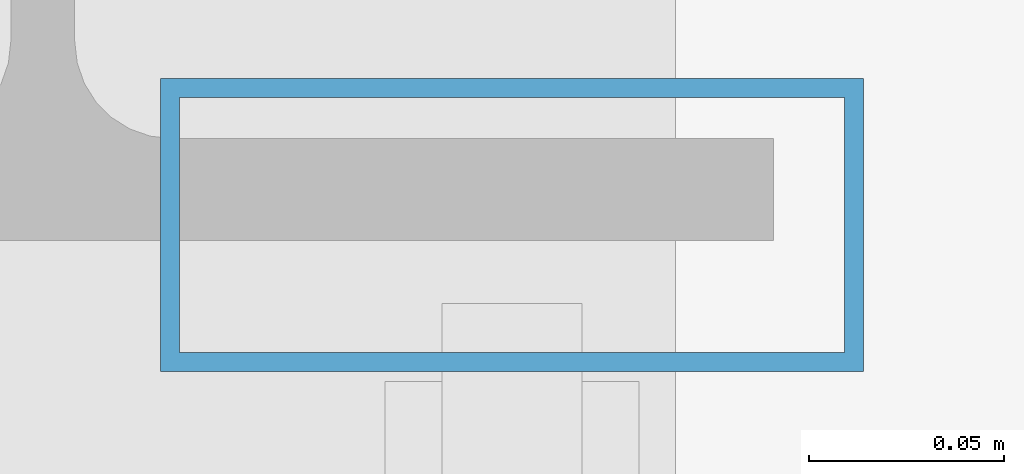
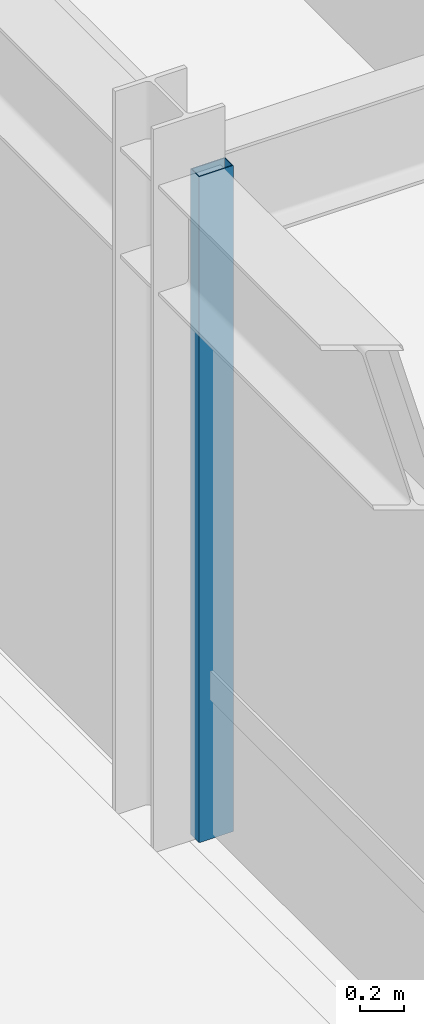
# One storey, part 7 of 17: 1 member, 1 element without a shape of its own.
"""IFC4 building model written with IfcOpenShell, lengths in metres."""

from ifc_helpers import new_model, si_unit, direction, frame, origin, origin_2d, place, context, subcontext, project, spatial, hollow_rectangle, extrude, material, layer, layer_set, material_profile, profile_set, type_object, element, aggregate, save


model = new_model("IFC4")

# Units and contexts
model_context = context("Model", 3, precision=1e-05, world=origin(), true_north=direction((0.0, 1.0)))
body_context = subcontext(model_context, "Body", "Model", "MODEL_VIEW")
ifc_project = project(units=[si_unit("LENGTHUNIT", "METRE"), si_unit("AREAUNIT", "SQUARE_METRE"), si_unit("VOLUMEUNIT", "CUBIC_METRE"), si_unit("PLANEANGLEUNIT", "RADIAN"), si_unit("MASSUNIT", "GRAM", prefix="KILO")], contexts=[model_context])

# Site, building, storey
site_placement = place(None, origin())
site = spatial("IfcSite", under=ifc_project, at=site_placement, CompositionType="ELEMENT")
building_placement = place(site_placement, origin())
building = spatial("IfcBuilding", under=site, at=building_placement, Name="Drelvath Grand Hotel", CompositionType="ELEMENT")
storey_placement = place(building_placement, frame((0.0, 0.0, 311.39990234375)))
storey = spatial("IfcBuildingStorey", under=building, at=storey_placement, Name="L81", CompositionType="ELEMENT", Elevation=311.39990234375)

# Curtain wall, member
ifc_material = material(Name="Pale-Metal Anodised Aluminium Crown Frame", Category="aluminium")
ifc_layer = layer(ifc_material, 0.199951171875)
ifc_layer_set = layer_set([ifc_layer], Name="Pale-Metal Anodised Aluminium Crown Frame")
curtain_wall_type = type_object("IfcCurtainWallType", Name="Stick Curtain Wall CW-06 Pale-Metal Crown Clerestory", PredefinedType="NOTDEFINED", material=ifc_layer_set)
curtain_wall_placement = place(storey_placement, origin())
curtain_wall = element("IfcCurtainWall", 1, at=curtain_wall_placement, inside=storey, type_object=curtain_wall_type, Name="L81 CW-06 Curtain Wall CW06-L81-W", PredefinedType="NOTDEFINED")
ifc_material_profile = material_profile(ifc_material, hollow_rectangle(XDim=0.074951171875, YDim=0.179931640625, WallThickness=0.0048828125, at=origin_2d()), Name="HSS180X75X5")
ifc_profile_set = profile_set([ifc_material_profile], Name="Pale-Metal Anodised Aluminium Crown Frame")
member_type = type_object("IfcMemberType", Name="Curtain Wall Vertical Mullion CW-06 HSS180X75X5", PredefinedType="MULLION", material=ifc_profile_set)
member_placement = place(storey_placement, frame((-13.8798828125, 26.81787109375, 0.0), z_axis=(0.0, 0.0, 1.0), x_axis=(0.0, 1.0, 0.0)))
member = element("IfcMember", 2, at=member_placement, type_object=member_type, Name="CW06-L81-W Mullion 3", PredefinedType="MULLION", context=body_context, shape_type="SweptSolid", body=[
    extrude(hollow_rectangle(XDim=0.074951171875, YDim=0.179931640625, WallThickness=0.0048828125, at=origin_2d()), origin(), (0.0, 0.0, 1.0), 3.68017578125),
])
aggregate(curtain_wall, [member])

save(model, "model.ifc")
